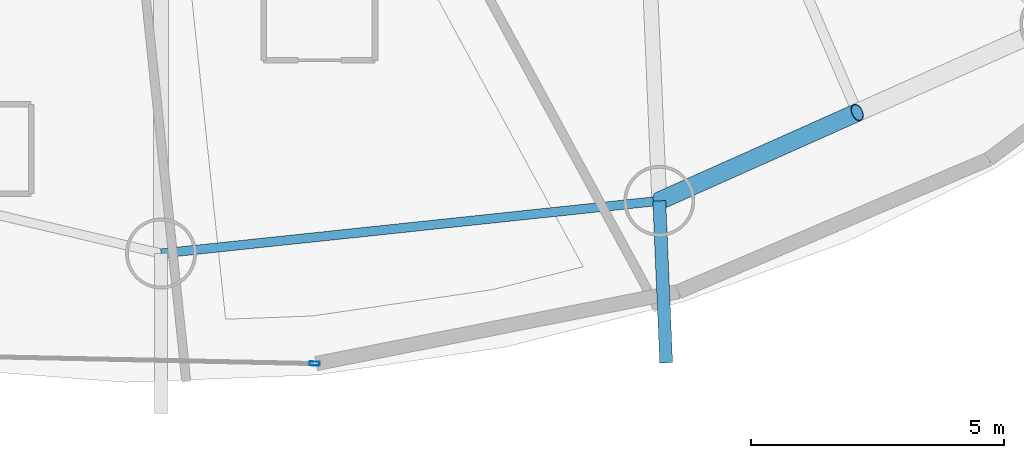
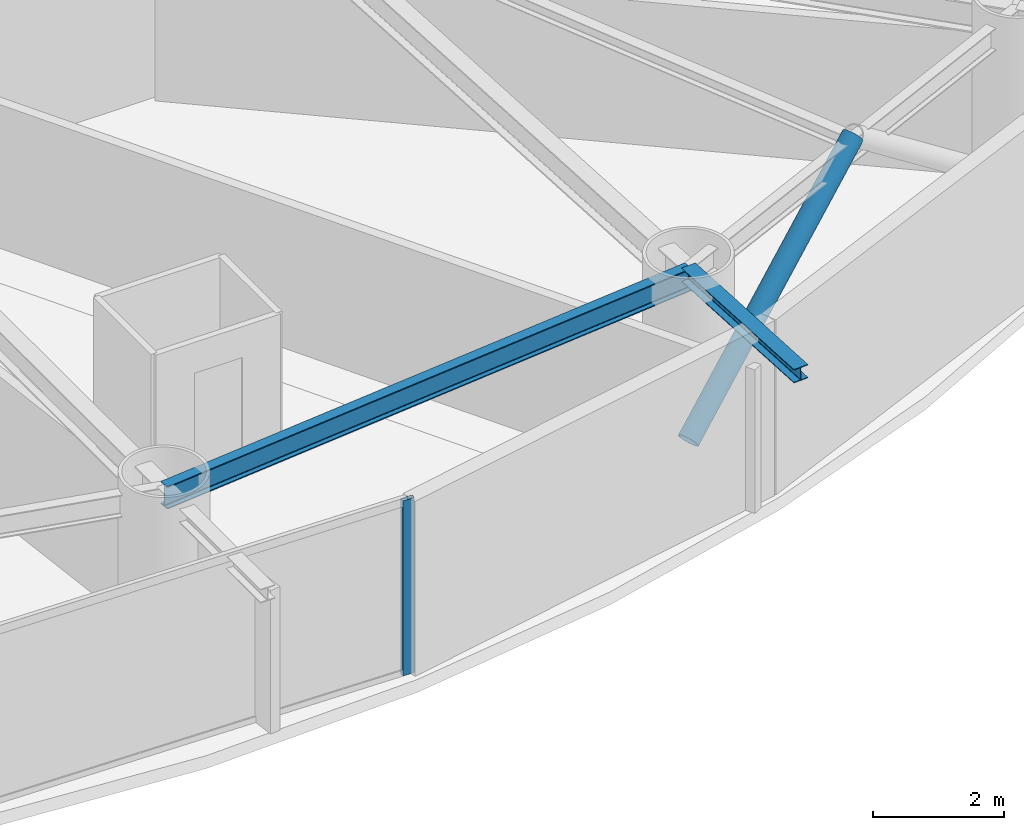
# One storey, part 8 of 26: 2 beams, 2 members, 1 element without a shape of its own.
"""IFC4 building model written with IfcOpenShell, lengths in metres."""

from ifc_helpers import new_model, si_unit, direction, frame, origin, origin_2d, place, context, subcontext, project, spatial, hollow_rectangle, hollow_circle, i_section, extrude, material, layer, layer_set, material_profile, profile_set, type_object, element, aggregate, save


model = new_model("IFC4")

# Units and contexts
model_context = context("Model", 3, precision=1e-05, world=origin(), true_north=direction((0.0, 1.0)))
body_context = subcontext(model_context, "Body", "Model", "MODEL_VIEW")
ifc_project = project(units=[si_unit("LENGTHUNIT", "METRE"), si_unit("AREAUNIT", "SQUARE_METRE"), si_unit("VOLUMEUNIT", "CUBIC_METRE"), si_unit("PLANEANGLEUNIT", "RADIAN"), si_unit("MASSUNIT", "GRAM", prefix="KILO")], contexts=[model_context])

# Site, building, storey
site_placement = place(None, origin())
site = spatial("IfcSite", under=ifc_project, at=site_placement, CompositionType="ELEMENT")
building_placement = place(site_placement, origin())
building = spatial("IfcBuilding", under=site, at=building_placement, Name="Bramvorn Convention Spire", CompositionType="ELEMENT")
storey_placement = place(building_placement, frame((0.0, 0.0, 123.800048828125)))
storey = spatial("IfcBuildingStorey", under=building, at=storey_placement, Name="L30", CompositionType="ELEMENT", Elevation=123.800048828125)

# Beams
ifc_material_1 = material(Name="Steel CSA G40.21 Grade 350 (350W)", Category="steel")
ifc_material_profile_1 = material_profile(ifc_material_1, i_section(OverallWidth=0.25390625, OverallDepth=0.2529296875, WebThickness=0.008544921875, FlangeThickness=0.01416015625, FilletRadius=0.011962890625, at=origin_2d()))
ifc_profile_set_1 = profile_set([ifc_material_profile_1], Name="Steel CSA G40.21 Grade 350 (350W) - W250X73")
beam_type_1 = type_object("IfcBeamType", Name="BM-W250X73", PredefinedType="BEAM", material=ifc_profile_set_1)
beam_1_placement = place(storey_placement, frame((49.76171875, 6.521240234375, 3.133544921875), z_axis=(0.042496892375, -0.999096599003, 0.0), x_axis=(0.999096599003, 0.042496892375, 0.0)))
element("IfcBeam", 1, at=beam_1_placement, inside=storey, type_object=beam_type_1, Name="L30 slab-edge cantilever tip beam MC15", PredefinedType="BEAM", context=body_context, shape_type="SweptSolid", body=[
    extrude(i_section(OverallWidth=0.25390625, OverallDepth=0.2529296875, WebThickness=0.008544921875, FlangeThickness=0.01416015625, FilletRadius=0.011962890625, at=origin_2d()), origin(), (0.0, 0.0, 1.0), 3.199951171875),
])
ifc_material_profile_2 = material_profile(ifc_material_1, i_section(OverallWidth=0.180908203125, OverallDepth=0.4169921875, WebThickness=0.010986328125, FlangeThickness=0.018310546875, FilletRadius=0.01611328125, at=origin_2d()))
ifc_profile_set_2 = profile_set([ifc_material_profile_2], Name="Steel CSA G40.21 Grade 350 (350W) - W410X85")
beam_type_2 = type_object("IfcBeamType", Name="BM-W410X85", PredefinedType="JOIST", material=ifc_profile_set_2)
beam_2_placement = place(storey_placement, frame((39.924072265625, 5.482666015625, 3.051513671875), z_axis=(0.994473491975, 0.104987969596, 0.0), x_axis=(-0.104987969596, 0.994473491975, 0.0)))
element("IfcBeam", 2, at=beam_2_placement, inside=storey, type_object=beam_type_2, Name="L30 mega-column ring beam 14", PredefinedType="JOIST", context=body_context, shape_type="SweptSolid", body=[
    extrude(i_section(OverallWidth=0.180908203125, OverallDepth=0.4169921875, WebThickness=0.010986328125, FlangeThickness=0.018310546875, FilletRadius=0.01611328125, at=origin_2d()), origin(), (0.0, 0.0, 1.0), 9.892333984375),
])

# Curtain wall, member
ifc_material_2 = material(Name="Anodised Bronze Unitised Curtain Wall", Category="aluminium")
ifc_layer = layer(ifc_material_2, 0.179931640625)
ifc_layer_set = layer_set([ifc_layer], Name="Anodised Bronze Unitised Curtain Wall - CW-HTL-FRIT")
curtain_wall_type = type_object("IfcCurtainWallType", Name="CW-HTL-FRIT", PredefinedType="USERDEFINED", material=ifc_layer_set)
curtain_wall_placement = place(storey_placement, origin())
curtain_wall = element("IfcCurtainWall", 3, at=curtain_wall_placement, inside=storey, type_object=curtain_wall_type, Name="L30 fritted glass curtain wall 20", ObjectType="UNITISED CURTAIN WALL", PredefinedType="USERDEFINED")
ifc_material_3 = material(Name="Anodised Bronze Aluminium 6063-T6", Category="aluminium")
ifc_material_profile_3 = material_profile(ifc_material_3, hollow_rectangle(XDim=0.080078125, YDim=0.199951171875, WallThickness=0.00390625, InnerFilletRadius=0.0009765625, OuterFilletRadius=0.00390625, at=origin_2d()))
ifc_profile_set_3 = profile_set([ifc_material_profile_3], Name="Anodised Bronze Aluminium 6063-T6 - CWM80X200")
member_type_1 = type_object("IfcMemberType", Name="CW-MUL-180", PredefinedType="MULLION", material=ifc_profile_set_3)
member_1_placement = place(storey_placement, frame((42.956298828125, 3.309326171875, 0.0), z_axis=(0.0, 0.0, 1.0), x_axis=(-0.020953166222, -0.999780458313, 0.0)))
member_1 = element("IfcMember", 4, at=member_1_placement, type_object=member_type_1, Name="CW2 mullion 1", PredefinedType="MULLION", context=body_context, shape_type="SweptSolid", body=[
    extrude(hollow_rectangle(XDim=0.080078125, YDim=0.199951171875, WallThickness=0.00390625, InnerFilletRadius=0.0009765625, OuterFilletRadius=0.00390625, at=origin_2d()), origin(), (0.0, 0.0, 1.0), 3.260009765625),
])
aggregate(curtain_wall, [member_1])

# Member
ifc_material_profile_4 = material_profile(ifc_material_1, hollow_circle(Radius=0.177734375, WallThickness=0.015869140625, at=origin_2d()))
ifc_profile_set_4 = profile_set([ifc_material_profile_4], Name="Steel CSA G40.21 Grade 350 (350W) - CHS356X16")
member_type_2 = type_object("IfcMemberType", Name="MBR-CHS356X16", PredefinedType="BRACE", material=ifc_profile_set_4)
member_2_placement = place(storey_placement, frame((49.76171875, 6.521240234375, 0.0), z_axis=(0.726493716718, 0.324272457743, 0.605850024939), x_axis=(-0.407593096918, 0.913163658577, 0.0)))
element("IfcMember", 5, at=member_2_placement, inside=storey, type_object=member_type_2, Name="L30 perimeter Gothic lancet brace 15A", PredefinedType="BRACE", context=body_context, shape_type="SweptSolid", body=[
    extrude(hollow_circle(Radius=0.177734375, WallThickness=0.015869140625, at=origin_2d()), origin(), (0.0, 0.0, 1.0), 5.380859375),
])

save(model, "model.ifc")
